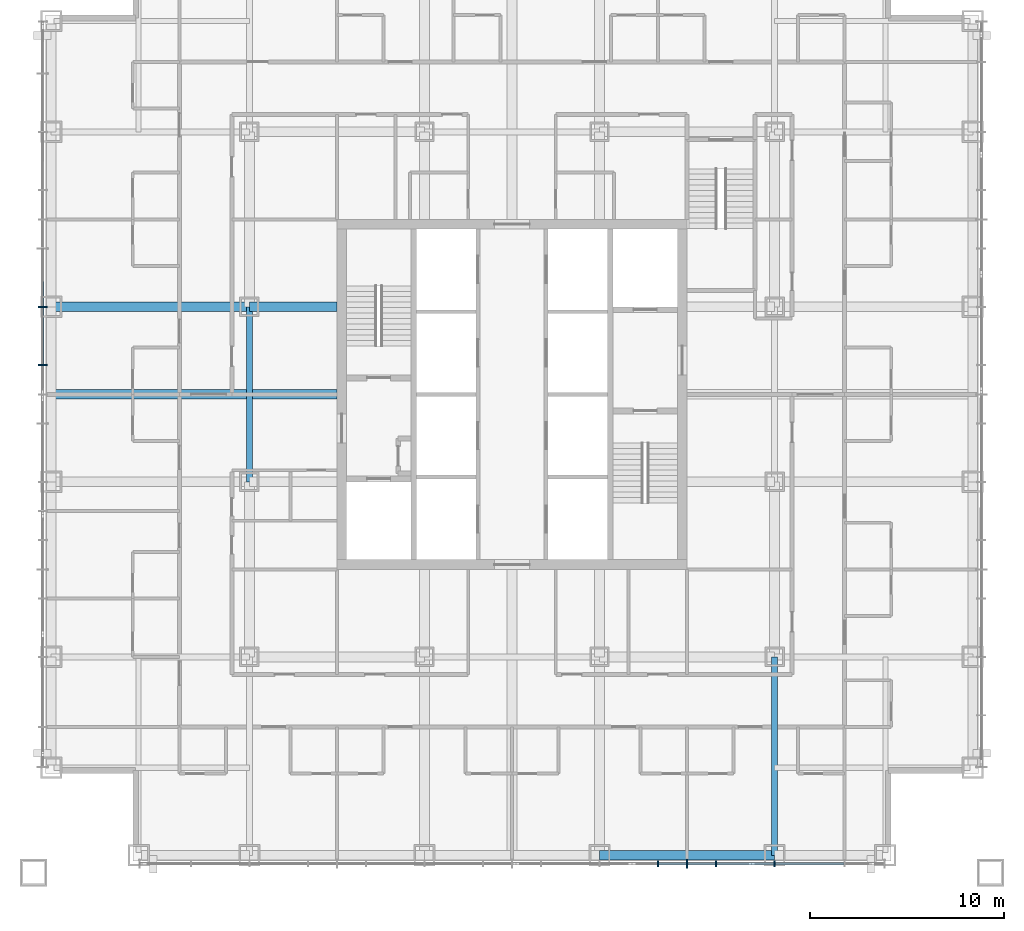
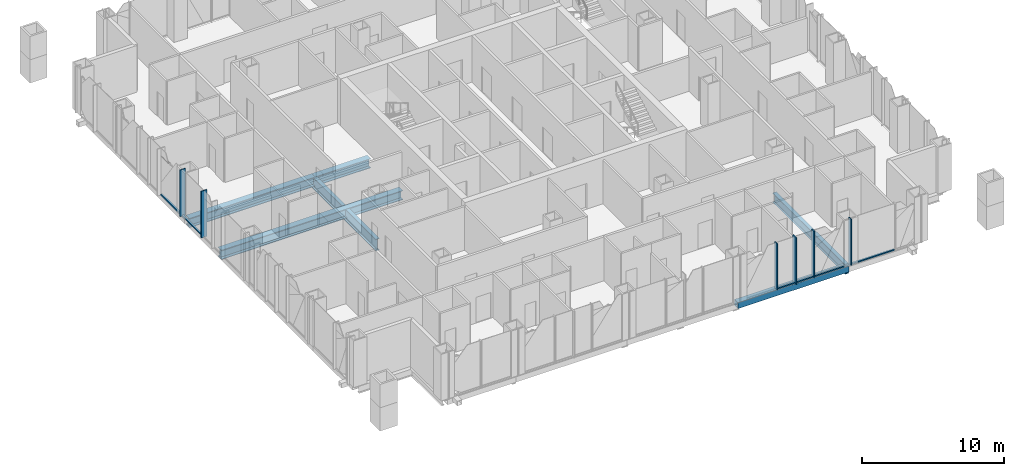
# One storey, part 3 of 23: 12 members, 6 beams, 2 elements without a shape of their own.
"""IFC4 building model written with IfcOpenShell, lengths in metres."""

from ifc_helpers import new_model, si_unit, direction, frame, origin, origin_2d, place, context, subcontext, project, spatial, rectangle, hollow_rectangle, i_section, extrude, material, layer, layer_set, material_profile, profile_set, type_object, element, aggregate, save


model = new_model("IFC4")

# Units and contexts
model_context = context("Model", 3, precision=1e-05, world=origin(), true_north=direction((0.0, 1.0)))
body_context = subcontext(model_context, "Body", "Model", "MODEL_VIEW")
ifc_project = project(units=[si_unit("LENGTHUNIT", "METRE"), si_unit("AREAUNIT", "SQUARE_METRE"), si_unit("VOLUMEUNIT", "CUBIC_METRE"), si_unit("PLANEANGLEUNIT", "RADIAN"), si_unit("MASSUNIT", "GRAM", prefix="KILO")], contexts=[model_context])

# Site, building, storey
site_placement = place(None, origin())
site = spatial("IfcSite", under=ifc_project, at=site_placement, CompositionType="ELEMENT")
building_placement = place(site_placement, origin())
building = spatial("IfcBuilding", under=site, at=building_placement, Name="Malebo Sky Hospital", CompositionType="ELEMENT")
storey_placement = place(building_placement, frame((0.0, 0.0, 168.0)))
storey = spatial("IfcBuildingStorey", under=building, at=storey_placement, Name="L40", CompositionType="ELEMENT", Elevation=168.0)

# Curtain wall, members
ifc_material_1 = material(Name="Anodised aluminium, natural silver", Category="aluminium")
ifc_layer_1 = layer(ifc_material_1, 0.25)
ifc_layer_set_1 = layer_set([ifc_layer_1], Name="WARD CURTAIN WALL EAST AND WEST")
curtain_wall_type_1 = type_object("IfcCurtainWallType", Name="WARD CURTAIN WALL EAST AND WEST", PredefinedType="NOTDEFINED", material=ifc_layer_set_1)
curtain_wall_1_placement = place(storey_placement, origin())
curtain_wall_1 = element("IfcCurtainWall", 1, at=curtain_wall_1_placement, inside=storey, type_object=curtain_wall_type_1, Name="EW curtain wall W", PredefinedType="NOTDEFINED")
ifc_material_profile_1 = material_profile(ifc_material_1, rectangle(XDim=0.14990234375, YDim=0.10009765625, at=origin_2d()), Name="ALUMINIUM TRANSOM 150x100")
ifc_profile_set_1 = profile_set([ifc_material_profile_1], Name="Anodised aluminium, natural silver")
member_type_1 = type_object("IfcMemberType", Name="ALUMINIUM TRANSOM 150x100", PredefinedType="USERDEFINED", material=ifc_profile_set_1)
member_1_placement = place(storey_placement, frame((35.864990234375, 63.53759765625, 0.050048828125), z_axis=(0.0, 1.0, 0.0), x_axis=(-1.0, 0.0, 0.0)))
member_1 = element("IfcMember", 2, at=member_1_placement, type_object=member_type_1, Name="Transom 11", ObjectType="TRANSOM", PredefinedType="USERDEFINED", context=body_context, shape_type="SweptSolid", body=[
    extrude(rectangle(XDim=0.14990234375, YDim=0.10009765625, at=origin_2d()), origin(), (0.0, 0.0, 1.0), 2.9248046875),
])
member_2_placement = place(storey_placement, frame((35.864990234375, 66.53759765625, 0.050048828125), z_axis=(0.0, 1.0, 0.0), x_axis=(-1.0, 0.0, 0.0)))
member_2 = element("IfcMember", 3, at=member_2_placement, type_object=member_type_1, Name="Transom 12", ObjectType="TRANSOM", PredefinedType="USERDEFINED", context=body_context, shape_type="SweptSolid", body=[
    extrude(rectangle(XDim=0.14990234375, YDim=0.10009765625, at=origin_2d()), origin(), (0.0, 0.0, 1.0), 2.9248046875),
])

ifc_layer_2 = layer(ifc_material_1, 0.25)
ifc_layer_set_2 = layer_set([ifc_layer_2], Name="WARD CURTAIN WALL NORTH AND SOUTH")
curtain_wall_type_2 = type_object("IfcCurtainWallType", Name="WARD CURTAIN WALL NORTH AND SOUTH", PredefinedType="NOTDEFINED", material=ifc_layer_set_2)
curtain_wall_2_placement = place(storey_placement, origin())
curtain_wall_2 = element("IfcCurtainWall", 4, at=curtain_wall_2_placement, inside=storey, type_object=curtain_wall_type_2, Name="NS curtain wall S", PredefinedType="NOTDEFINED")
member_3_placement = place(storey_placement, frame((77.0625, 37.864990234375, 0.050048828125), z_axis=(-1.0, 0.0, 0.0), x_axis=(0.0, -1.0, 0.0)))
member_3 = element("IfcMember", 5, at=member_3_placement, type_object=member_type_1, Name="Transom 2", ObjectType="TRANSOM", PredefinedType="USERDEFINED", context=body_context, shape_type="SweptSolid", body=[
    extrude(rectangle(XDim=0.14990234375, YDim=0.10009765625, at=origin_2d()), origin(), (0.0, 0.0, 1.0), 3.52490234375),
])
member_4_placement = place(storey_placement, frame((73.46240234375, 37.864990234375, 0.050048828125), z_axis=(-1.0, 0.0, 0.0), x_axis=(0.0, -1.0, 0.0)))
member_4 = element("IfcMember", 6, at=member_4_placement, type_object=member_type_1, Name="Transom 3", ObjectType="TRANSOM", PredefinedType="USERDEFINED", context=body_context, shape_type="SweptSolid", body=[
    extrude(rectangle(XDim=0.14990234375, YDim=0.10009765625, at=origin_2d()), origin(), (0.0, 0.0, 1.0), 2.9248046875),
])
member_5_placement = place(storey_placement, frame((70.46240234375, 37.864990234375, 0.050048828125), z_axis=(-1.0, 0.0, 0.0), x_axis=(0.0, -1.0, 0.0)))
member_5 = element("IfcMember", 7, at=member_5_placement, type_object=member_type_1, Name="Transom 4", ObjectType="TRANSOM", PredefinedType="USERDEFINED", context=body_context, shape_type="SweptSolid", body=[
    extrude(rectangle(XDim=0.14990234375, YDim=0.10009765625, at=origin_2d()), origin(), (0.0, 0.0, 1.0), 1.4248046875),
])
member_6_placement = place(storey_placement, frame((68.96240234375, 37.864990234375, 0.050048828125), z_axis=(-1.0, 0.0, 0.0), x_axis=(0.0, -1.0, 0.0)))
member_6 = element("IfcMember", 8, at=member_6_placement, type_object=member_type_1, Name="Transom 5", ObjectType="TRANSOM", PredefinedType="USERDEFINED", context=body_context, shape_type="SweptSolid", body=[
    extrude(rectangle(XDim=0.14990234375, YDim=0.10009765625, at=origin_2d()), origin(), (0.0, 0.0, 1.0), 1.4248046875),
])
ifc_material_profile_2 = material_profile(ifc_material_1, rectangle(XDim=0.074951171875, YDim=0.300048828125, at=origin_2d()), Name="CW1 ALUMINIUM FIN MULLION 75x300")
ifc_profile_set_2 = profile_set([ifc_material_profile_2], Name="Anodised aluminium, natural silver")
member_type_2 = type_object("IfcMemberType", Name="CW1 ALUMINIUM FIN MULLION 75x300", PredefinedType="MULLION", material=ifc_profile_set_2)
member_7_placement = place(storey_placement, frame((73.5, 37.864990234375, 0.0), z_axis=(0.0, 0.0, 1.0), x_axis=(-1.0, 0.0, 0.0)))
member_7 = element("IfcMember", 9, at=member_7_placement, type_object=member_type_2, Name="Fin mullion 3", PredefinedType="MULLION", context=body_context, shape_type="SweptSolid", body=[
    extrude(rectangle(XDim=0.074951171875, YDim=0.300048828125, at=origin_2d()), origin(), (0.0, 0.0, 1.0), 4.0),
])
member_8_placement = place(storey_placement, frame((70.5, 37.864990234375, 0.0), z_axis=(0.0, 0.0, 1.0), x_axis=(-1.0, 0.0, 0.0)))
member_8 = element("IfcMember", 10, at=member_8_placement, type_object=member_type_2, Name="Fin mullion 4", PredefinedType="MULLION", context=body_context, shape_type="SweptSolid", body=[
    extrude(rectangle(XDim=0.074951171875, YDim=0.300048828125, at=origin_2d()), origin(), (0.0, 0.0, 1.0), 4.0),
])
member_9_placement = place(storey_placement, frame((67.5, 37.864990234375, 0.0), z_axis=(0.0, 0.0, 1.0), x_axis=(-1.0, 0.0, 0.0)))
member_9 = element("IfcMember", 11, at=member_9_placement, type_object=member_type_2, Name="Fin mullion 6", PredefinedType="MULLION", context=body_context, shape_type="SweptSolid", body=[
    extrude(rectangle(XDim=0.074951171875, YDim=0.300048828125, at=origin_2d()), origin(), (0.0, 0.0, 1.0), 4.0),
])
ifc_material_profile_3 = material_profile(ifc_material_1, rectangle(XDim=0.074951171875, YDim=0.449951171875, at=origin_2d()), Name="CW1 ALUMINIUM FIN MULLION 75x450")
ifc_profile_set_3 = profile_set([ifc_material_profile_3], Name="Anodised aluminium, natural silver")
member_type_3 = type_object("IfcMemberType", Name="CW1 ALUMINIUM FIN MULLION 75x450", PredefinedType="MULLION", material=ifc_profile_set_3)
member_10_placement = place(storey_placement, frame((69.0, 37.864990234375, 0.0), z_axis=(0.0, 0.0, 1.0), x_axis=(-1.0, 0.0, 0.0)))
member_10 = element("IfcMember", 12, at=member_10_placement, type_object=member_type_3, Name="Fin mullion 5", PredefinedType="MULLION", context=body_context, shape_type="SweptSolid", body=[
    extrude(rectangle(XDim=0.074951171875, YDim=0.449951171875, at=origin_2d()), origin(), (0.0, 0.0, 1.0), 4.0),
])
aggregate(curtain_wall_2, [member_7, member_8, member_10, member_9, member_3, member_4, member_5, member_6])

# Member
ifc_material_profile_4 = material_profile(ifc_material_1, rectangle(XDim=0.074951171875, YDim=0.449951171875, at=origin_2d()), Name="CW2 ALUMINIUM FIN MULLION 75x450")
ifc_profile_set_4 = profile_set([ifc_material_profile_4], Name="Anodised aluminium, natural silver")
member_type_4 = type_object("IfcMemberType", Name="CW2 ALUMINIUM FIN MULLION 75x450", PredefinedType="MULLION", material=ifc_profile_set_4)
member_11_placement = place(storey_placement, frame((35.864990234375, 63.5, 0.0), z_axis=(0.0, 0.0, 1.0), x_axis=(0.0, 1.0, 0.0)))
member_11 = element("IfcMember", 13, at=member_11_placement, type_object=member_type_4, Name="Fin mullion 11", PredefinedType="MULLION", context=body_context, shape_type="SweptSolid", body=[
    extrude(rectangle(XDim=0.074951171875, YDim=0.449951171875, at=origin_2d()), origin(), (0.0, 0.0, 1.0), 4.0),
])

member_12_placement = place(storey_placement, frame((35.864990234375, 66.5, 0.0), z_axis=(0.0, 0.0, 1.0), x_axis=(0.0, 1.0, 0.0)))
member_12 = element("IfcMember", 14, at=member_12_placement, type_object=member_type_4, Name="Fin mullion 12", PredefinedType="MULLION", context=body_context, shape_type="SweptSolid", body=[
    extrude(rectangle(XDim=0.074951171875, YDim=0.449951171875, at=origin_2d()), origin(), (0.0, 0.0, 1.0), 4.0),
])

aggregate(curtain_wall_1, [member_11, member_12, member_1, member_2])

# Beams
ifc_material_2 = material(Name="Steel S460", Category="steel")
ifc_material_profile_5 = material_profile(ifc_material_2, hollow_rectangle(XDim=0.5, YDim=0.5, WallThickness=0.030029296875, at=origin_2d()), Name="BOX 500x500x30")
ifc_profile_set_5 = profile_set([ifc_material_profile_5], Name="Steel S460")
beam_type_1 = type_object("IfcBeamType", Name="EDGE BEAM BOX 500x500x30", PredefinedType="BEAM", material=ifc_profile_set_5)
beam_1_placement = place(storey_placement, frame((64.5, 38.300048828125, -0.5), z_axis=(1.0, 0.0, 0.0), x_axis=(0.0, 1.0, 0.0)))
element("IfcBeam", 15, at=beam_1_placement, inside=storey, type_object=beam_type_1, Name="Beam 037 L40", PredefinedType="BEAM", context=body_context, shape_type="SweptSolid", body=[
    extrude(hollow_rectangle(XDim=0.5, YDim=0.5, WallThickness=0.030029296875, at=origin_2d()), origin(), (0.0, 0.0, 1.0), 9.0),
])
ifc_material_3 = material(Name="Steel S355", Category="steel")
ifc_material_profile_6 = material_profile(ifc_material_3, i_section(OverallWidth=0.5, OverallDepth=0.800048828125, WebThickness=0.030029296875, FlangeThickness=0.050048828125, at=origin_2d()), Name="PG 800x500x30x50")
ifc_profile_set_6 = profile_set([ifc_material_profile_6], Name="Steel S355")
beam_type_2 = type_object("IfcBeamType", Name="FLOOR BEAM PG 800x500x30x50", PredefinedType="BEAM", material=ifc_profile_set_6)
beam_2_placement = place(storey_placement, frame((36.300048828125, 62.0, -0.64990234375), z_axis=(1.0, 0.0, 0.0), x_axis=(0.0, 1.0, 0.0)))
element("IfcBeam", 16, at=beam_2_placement, inside=storey, type_object=beam_type_2, Name="Beam 050 L40", PredefinedType="BEAM", context=body_context, shape_type="SweptSolid", body=[
    extrude(i_section(OverallWidth=0.5, OverallDepth=0.800048828125, WebThickness=0.030029296875, FlangeThickness=0.050048828125, at=origin_2d()), origin(), (0.0, 0.0, 1.0), 14.699951171875),
])
beam_3_placement = place(storey_placement, frame((36.300048828125, 66.5, -0.64990234375), z_axis=(1.0, 0.0, 0.0), x_axis=(0.0, 1.0, 0.0)))
element("IfcBeam", 17, at=beam_3_placement, inside=storey, type_object=beam_type_2, Name="Beam 052 L40", PredefinedType="BEAM", context=body_context, shape_type="SweptSolid", body=[
    extrude(i_section(OverallWidth=0.5, OverallDepth=0.800048828125, WebThickness=0.030029296875, FlangeThickness=0.050048828125, at=origin_2d()), origin(), (0.0, 0.0, 1.0), 10.199951171875),
])
beam_4_placement = place(storey_placement, frame((46.5, 66.5, -0.64990234375), z_axis=(1.0, 0.0, 0.0), x_axis=(0.0, 1.0, 0.0)))
element("IfcBeam", 18, at=beam_4_placement, inside=storey, type_object=beam_type_2, Name="Beam 053 L40", PredefinedType="BEAM", context=body_context, shape_type="SweptSolid", body=[
    extrude(i_section(OverallWidth=0.5, OverallDepth=0.800048828125, WebThickness=0.030029296875, FlangeThickness=0.050048828125, at=origin_2d()), origin(), (0.0, 0.0, 1.0), 4.5),
])
ifc_material_profile_7 = material_profile(ifc_material_3, i_section(OverallWidth=0.300048828125, OverallDepth=0.800048828125, WebThickness=0.017578125, FlangeThickness=0.032958984375, FilletRadius=0.030029296875, at=origin_2d()), Name="HEB 800")
ifc_profile_set_7 = profile_set([ifc_material_profile_7], Name="Steel S355")
beam_type_3 = type_object("IfcBeamType", Name="FLOOR GIRDER HEB 800", PredefinedType="BEAM", material=ifc_profile_set_7)
beam_5_placement = place(storey_placement, frame((73.5, 38.300048828125, -0.64990234375), z_axis=(0.0, 1.0, 0.0), x_axis=(-1.0, 0.0, 0.0)))
element("IfcBeam", 19, at=beam_5_placement, inside=storey, type_object=beam_type_3, Name="Beam 022 L40", PredefinedType="BEAM", context=body_context, shape_type="SweptSolid", body=[
    extrude(i_section(OverallWidth=0.300048828125, OverallDepth=0.800048828125, WebThickness=0.017578125, FlangeThickness=0.032958984375, FilletRadius=0.030029296875, at=origin_2d()), origin(), (0.0, 0.0, 1.0), 10.199951171875),
])
ifc_material_profile_8 = material_profile(ifc_material_3, i_section(OverallWidth=0.300048828125, OverallDepth=1.0, WebThickness=0.01904296875, FlangeThickness=0.035888671875, FilletRadius=0.030029296875, at=origin_2d()), Name="HEB 1000")
ifc_profile_set_8 = profile_set([ifc_material_profile_8], Name="Steel S355")
beam_type_4 = type_object("IfcBeamType", Name="RING GIRDER HEB 1000", PredefinedType="BEAM", material=ifc_profile_set_8)
beam_6_placement = place(storey_placement, frame((46.5, 57.5, -0.75), z_axis=(0.0, 1.0, 0.0), x_axis=(-1.0, 0.0, 0.0)))
element("IfcBeam", 20, at=beam_6_placement, inside=storey, type_object=beam_type_4, Name="Beam 009 L40", PredefinedType="BEAM", context=body_context, shape_type="SweptSolid", body=[
    extrude(i_section(OverallWidth=0.300048828125, OverallDepth=1.0, WebThickness=0.01904296875, FlangeThickness=0.035888671875, FilletRadius=0.030029296875, at=origin_2d()), origin(), (0.0, 0.0, 1.0), 9.0),
])

save(model, "model.ifc")
